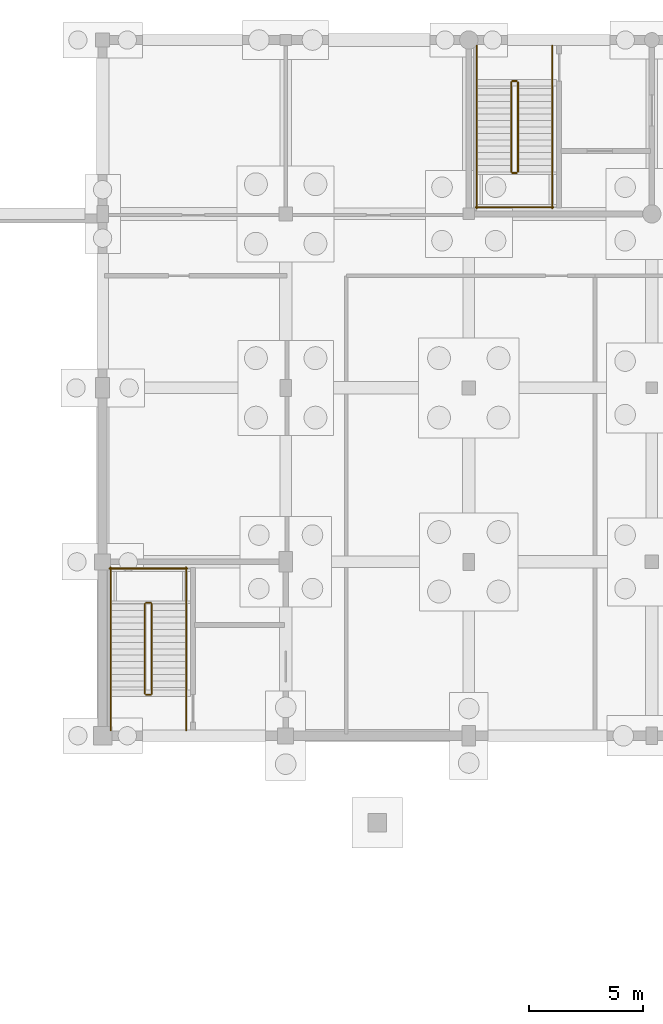
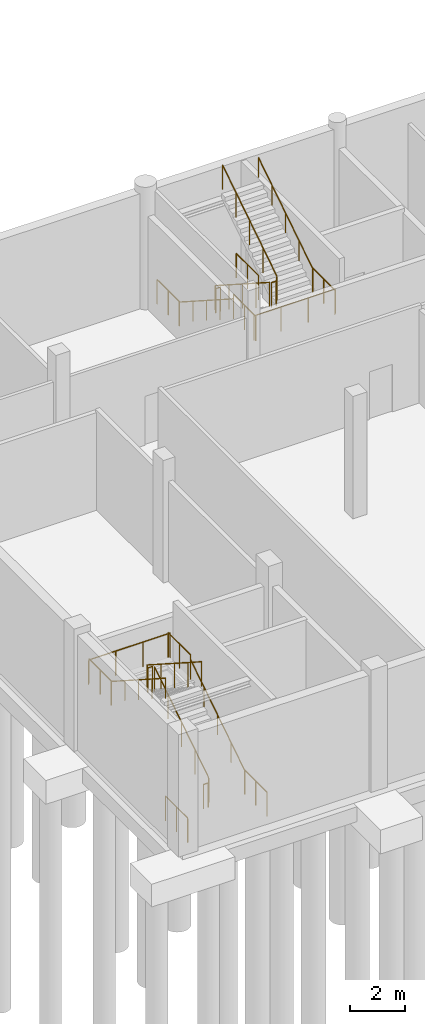
# One storey, part 43 of 44: 22 railings.
"""IFC4 building model written with IfcOpenShell, lengths in metres."""

from ifc_helpers import new_model, si_unit, direction, frame, origin, origin_2d, place, context, subcontext, project, spatial, circle, extrude, material, type_object, element, save


model = new_model("IFC4")

# Units and contexts
model_context = context("Model", 3, precision=1e-05, world=origin(), true_north=direction((0.0, 1.0)))
body_context = subcontext(model_context, "Body", "Model", "MODEL_VIEW")
ifc_project = project(units=[si_unit("LENGTHUNIT", "METRE"), si_unit("AREAUNIT", "SQUARE_METRE"), si_unit("VOLUMEUNIT", "CUBIC_METRE"), si_unit("PLANEANGLEUNIT", "RADIAN"), si_unit("MASSUNIT", "GRAM", prefix="KILO")], contexts=[model_context])

# Site, building, storey
site_placement = place(None, origin())
site = spatial("IfcSite", under=ifc_project, at=site_placement, CompositionType="ELEMENT")
building_placement = place(site_placement, origin())
building = spatial("IfcBuilding", under=site, at=building_placement, Name="Khelvaren Railside Concert Hall", CompositionType="ELEMENT")
storey_placement = place(building_placement, frame((0.0, 0.0, -5.39990234375)))
storey = spatial("IfcBuildingStorey", under=building, at=storey_placement, Name="B1", CompositionType="ELEMENT", Elevation=-5.39990234375)

# Railings
ifc_material_1 = material(Name="Painted architectural steel", Category="steel")
railing_type_1 = type_object("IfcRailingType", Name="GRD86", PredefinedType="GUARDRAIL", material=ifc_material_1)
railing_1_placement = place(storey_placement, frame((145.85009765625, 112.159912109375, 0.179931640625)))
element("IfcRailing", 1, at=railing_1_placement, inside=storey, type_object=railing_type_1, Name="B1 ST-09 stair guard 1", PredefinedType="GUARDRAIL", context=body_context, shape_type="SweptSolid", body=[
    extrude(circle(Radius=0.02392578125, at=origin_2d()), frame((0.0, 0.0, 1.076171875), z_axis=(0.0, -0.841171666519, 0.540768182723), x_axis=(1.0, 0.0, 0.0)), (0.0, 0.0, 1.0), 4.66015625),
    extrude(circle(Radius=0.02099609375, at=origin_2d()), origin(), (0.0, 0.0, 1.0), 1.052001953125),
    extrude(circle(Radius=0.02099609375, at=origin_2d()), frame((0.0, -0.97998046875, 0.6298828125)), (0.0, 0.0, 1.0), 1.052001953125),
    extrude(circle(Radius=0.02099609375, at=origin_2d()), frame((0.0, -1.9599609375, 1.260009765625)), (0.0, 0.0, 1.0), 1.052001953125),
    extrude(circle(Radius=0.02099609375, at=origin_2d()), frame((0.0, -2.93994140625, 1.89013671875)), (0.0, 0.0, 1.0), 1.052001953125),
    extrude(circle(Radius=0.02099609375, at=origin_2d()), frame((0.0, -3.919921875, 2.52001953125)), (0.0, 0.0, 1.0), 1.052001953125),
])
railing_2_placement = place(storey_placement, frame((145.89990234375, 108.18994140625, 2.699951171875)))
element("IfcRailing", 2, at=railing_2_placement, inside=storey, type_object=railing_type_1, Name="B1 ST-09 stair guard 2", PredefinedType="GUARDRAIL", context=body_context, shape_type="SweptSolid", body=[
    extrude(circle(Radius=0.02392578125, at=origin_2d()), frame((0.0, 0.0, 1.076171875), z_axis=(1.0, 0.0, 0.0), x_axis=(0.0, 1.0, 0.0)), (0.0, 0.0, 1.0), 0.2001953125),
    extrude(circle(Radius=0.02099609375, at=origin_2d()), origin(), (0.0, 0.0, 1.0), 1.052001953125),
    extrude(circle(Radius=0.02099609375, at=origin_2d()), frame((0.2001953125, 0.0, 0.0)), (0.0, 0.0, 1.0), 1.052001953125),
])
for number, where, name in (
    (3, (144.35009765625, 108.239990234375, 2.699951171875), "B1 ST-09 stair guard 3"),
    (4, (147.64990234375, 108.239990234375, 2.699951171875), "B1 ST-09 stair guard 4"),
):
    element("IfcRailing", number, at=place(storey_placement, frame(where)), inside=storey, type_object=railing_type_1, Name=name, PredefinedType="GUARDRAIL", context=body_context, shape_type="SweptSolid", body=[
        extrude(circle(Radius=0.02392578125, at=origin_2d()), frame((0.0, 0.0, 1.076171875), z_axis=(0.0, -1.0, 0.0), x_axis=(1.0, 0.0, 0.0)), (0.0, 0.0, 1.0), 1.60009765625),
        extrude(circle(Radius=0.02099609375, at=origin_2d()), origin(), (0.0, 0.0, 1.0), 1.052001953125),
        extrude(circle(Radius=0.02099609375, at=origin_2d()), frame((0.0, -0.800048828125, 0.0)), (0.0, 0.0, 1.0), 1.052001953125),
        extrude(circle(Radius=0.02099609375, at=origin_2d()), frame((0.0, -1.60009765625, 0.0)), (0.0, 0.0, 1.0), 1.052001953125),
    ])
railing_3_placement = place(storey_placement, frame((144.300048828125, 106.68994140625, 2.699951171875)))
element("IfcRailing", 5, at=railing_3_placement, inside=storey, type_object=railing_type_1, Name="B1 ST-09 stair guard 5", PredefinedType="GUARDRAIL", context=body_context, shape_type="SweptSolid", body=[
    extrude(circle(Radius=0.02392578125, at=origin_2d()), frame((0.0, 0.0, 1.076171875), z_axis=(1.0, 0.0, 0.0), x_axis=(0.0, 1.0, 0.0)), (0.0, 0.0, 1.0), 3.39990234375),
    extrude(circle(Radius=0.02099609375, at=origin_2d()), origin(), (0.0, 0.0, 1.0), 1.052001953125),
    extrude(circle(Radius=0.02099609375, at=origin_2d()), frame((1.13330078125, 0.0, 0.0)), (0.0, 0.0, 1.0), 1.052001953125),
    extrude(circle(Radius=0.02099609375, at=origin_2d()), frame((2.2666015625, 0.0, 0.0)), (0.0, 0.0, 1.0), 1.052001953125),
    extrude(circle(Radius=0.02099609375, at=origin_2d()), frame((3.39990234375, 0.0, 0.0)), (0.0, 0.0, 1.0), 1.052001953125),
])
railing_4_placement = place(storey_placement, frame((146.14990234375, 108.239990234375, 2.8798828125)))
element("IfcRailing", 6, at=railing_4_placement, inside=storey, type_object=railing_type_1, Name="B1 ST-09 stair guard 6", PredefinedType="GUARDRAIL", context=body_context, shape_type="SweptSolid", body=[
    extrude(circle(Radius=0.02392578125, at=origin_2d()), frame((0.0, 0.0, 1.076171875), z_axis=(0.0, 0.841171666519, 0.540768182723), x_axis=(-1.0, 0.0, 0.0)), (0.0, 0.0, 1.0), 4.66015625),
    extrude(circle(Radius=0.02099609375, at=origin_2d()), origin(), (0.0, 0.0, 1.0), 1.052001953125),
    extrude(circle(Radius=0.02099609375, at=origin_2d()), frame((0.0, 0.97998046875, 0.6298828125)), (0.0, 0.0, 1.0), 1.052001953125),
    extrude(circle(Radius=0.02099609375, at=origin_2d()), frame((0.0, 1.9599609375, 1.260009765625)), (0.0, 0.0, 1.0), 1.052001953125),
    extrude(circle(Radius=0.02099609375, at=origin_2d()), frame((0.0, 2.93994140625, 1.89013671875)), (0.0, 0.0, 1.0), 1.052001953125),
    extrude(circle(Radius=0.02099609375, at=origin_2d()), frame((0.0, 3.919921875, 2.52001953125)), (0.0, 0.0, 1.0), 1.052001953125),
])
railing_5_placement = place(storey_placement, frame((145.89990234375, 112.2099609375, 0.0)))
element("IfcRailing", 7, at=railing_5_placement, inside=storey, type_object=railing_type_1, Name="B1 ST-09 stair guard 7", PredefinedType="GUARDRAIL", context=body_context, shape_type="SweptSolid", body=[
    extrude(circle(Radius=0.02392578125, at=origin_2d()), frame((0.0, 0.0, 1.076171875), z_axis=(1.0, 0.0, 0.0), x_axis=(0.0, 1.0, 0.0)), (0.0, 0.0, 1.0), 0.2001953125),
    extrude(circle(Radius=0.02099609375, at=origin_2d()), origin(), (0.0, 0.0, 1.0), 1.052001953125),
    extrude(circle(Radius=0.02099609375, at=origin_2d()), frame((0.2001953125, 0.0, 0.0)), (0.0, 0.0, 1.0), 1.052001953125),
])
for number, where, name in (
    (8, (144.35009765625, 113.760009765625, 0.0), "B1 ST-09 stair guard 8"),
    (9, (147.64990234375, 113.760009765625, 0.0), "B1 ST-09 stair guard 9"),
):
    element("IfcRailing", number, at=place(storey_placement, frame(where)), inside=storey, type_object=railing_type_1, Name=name, PredefinedType="GUARDRAIL", context=body_context, shape_type="SweptSolid", body=[
        extrude(circle(Radius=0.02392578125, at=origin_2d()), frame((0.0, 0.0, 1.076171875), z_axis=(0.0, -1.0, 0.0), x_axis=(1.0, 0.0, 0.0)), (0.0, 0.0, 1.0), 1.60009765625),
        extrude(circle(Radius=0.02099609375, at=origin_2d()), origin(), (0.0, 0.0, 1.0), 1.052001953125),
        extrude(circle(Radius=0.02099609375, at=origin_2d()), frame((0.0, -0.800048828125, 0.0)), (0.0, 0.0, 1.0), 1.052001953125),
        extrude(circle(Radius=0.02099609375, at=origin_2d()), frame((0.0, -1.60009765625, 0.0)), (0.0, 0.0, 1.0), 1.052001953125),
    ])
railing_6_placement = place(storey_placement, frame((130.14990234375, 85.43994140625, 0.179931640625)))
element("IfcRailing", 10, at=railing_6_placement, inside=storey, type_object=railing_type_1, Name="B1 ST-12 stair guard 1", PredefinedType="GUARDRAIL", context=body_context, shape_type="SweptSolid", body=[
    extrude(circle(Radius=0.02392578125, at=origin_2d()), frame((0.0, 0.0, 1.076171875), z_axis=(0.0, 0.841186985886, 0.540744352514), x_axis=(-1.0, 0.0, 0.0)), (0.0, 0.0, 1.0), 4.660400390625),
    extrude(circle(Radius=0.02099609375, at=origin_2d()), origin(), (0.0, 0.0, 1.0), 1.052001953125),
    extrude(circle(Radius=0.02099609375, at=origin_2d()), frame((0.0, 0.97998046875, 0.6298828125)), (0.0, 0.0, 1.0), 1.052001953125),
    extrude(circle(Radius=0.02099609375, at=origin_2d()), frame((0.0, 1.9599609375, 1.260009765625)), (0.0, 0.0, 1.0), 1.052001953125),
    extrude(circle(Radius=0.02099609375, at=origin_2d()), frame((0.0, 2.940185546875, 1.89013671875)), (0.0, 0.0, 1.0), 1.052001953125),
    extrude(circle(Radius=0.02099609375, at=origin_2d()), frame((0.0, 3.920166015625, 2.52001953125)), (0.0, 0.0, 1.0), 1.052001953125),
])
railing_7_placement = place(storey_placement, frame((130.10009765625, 89.409912109375, 2.699951171875)))
element("IfcRailing", 11, at=railing_7_placement, inside=storey, type_object=railing_type_1, Name="B1 ST-12 stair guard 2", PredefinedType="GUARDRAIL", context=body_context, shape_type="SweptSolid", body=[
    extrude(circle(Radius=0.02392578125, at=origin_2d()), frame((0.0, 0.0, 1.076171875), z_axis=(-1.0, 0.0, 0.0), x_axis=(0.0, -1.0, 0.0)), (0.0, 0.0, 1.0), 0.2001953125),
    extrude(circle(Radius=0.02099609375, at=origin_2d()), origin(), (0.0, 0.0, 1.0), 1.052001953125),
    extrude(circle(Radius=0.02099609375, at=origin_2d()), frame((-0.2001953125, 0.0, 0.0)), (0.0, 0.0, 1.0), 1.052001953125),
])
for number, where, name in (
    (12, (131.64990234375, 89.360107421875, 2.699951171875), "B1 ST-12 stair guard 3"),
    (13, (128.35009765625, 89.360107421875, 2.699951171875), "B1 ST-12 stair guard 4"),
):
    element("IfcRailing", number, at=place(storey_placement, frame(where)), inside=storey, type_object=railing_type_1, Name=name, PredefinedType="GUARDRAIL", context=body_context, shape_type="SweptSolid", body=[
        extrude(circle(Radius=0.02392578125, at=origin_2d()), frame((0.0, 0.0, 1.076171875), z_axis=(0.0, 1.0, 0.0), x_axis=(-1.0, 0.0, 0.0)), (0.0, 0.0, 1.0), 1.599853515625),
        extrude(circle(Radius=0.02099609375, at=origin_2d()), origin(), (0.0, 0.0, 1.0), 1.052001953125),
        extrude(circle(Radius=0.02099609375, at=origin_2d()), frame((0.0, 0.7998046875, 0.0)), (0.0, 0.0, 1.0), 1.052001953125),
        extrude(circle(Radius=0.02099609375, at=origin_2d()), frame((0.0, 1.599853515625, 0.0)), (0.0, 0.0, 1.0), 1.052001953125),
    ])
railing_8_placement = place(storey_placement, frame((131.699951171875, 90.909912109375, 2.699951171875)))
element("IfcRailing", 14, at=railing_8_placement, inside=storey, type_object=railing_type_1, Name="B1 ST-12 stair guard 5", PredefinedType="GUARDRAIL", context=body_context, shape_type="SweptSolid", body=[
    extrude(circle(Radius=0.02392578125, at=origin_2d()), frame((0.0, 0.0, 1.076171875), z_axis=(-1.0, 0.0, 0.0), x_axis=(0.0, -1.0, 0.0)), (0.0, 0.0, 1.0), 3.39990234375),
    extrude(circle(Radius=0.02099609375, at=origin_2d()), origin(), (0.0, 0.0, 1.0), 1.052001953125),
    extrude(circle(Radius=0.02099609375, at=origin_2d()), frame((-1.13330078125, 0.0, 0.0)), (0.0, 0.0, 1.0), 1.052001953125),
    extrude(circle(Radius=0.02099609375, at=origin_2d()), frame((-2.2666015625, 0.0, 0.0)), (0.0, 0.0, 1.0), 1.052001953125),
    extrude(circle(Radius=0.02099609375, at=origin_2d()), frame((-3.39990234375, 0.0, 0.0)), (0.0, 0.0, 1.0), 1.052001953125),
])
railing_9_placement = place(storey_placement, frame((129.85009765625, 89.360107421875, 2.8798828125)))
element("IfcRailing", 15, at=railing_9_placement, inside=storey, type_object=railing_type_1, Name="B1 ST-12 stair guard 6", PredefinedType="GUARDRAIL", context=body_context, shape_type="SweptSolid", body=[
    extrude(circle(Radius=0.02392578125, at=origin_2d()), frame((0.0, 0.0, 1.076171875), z_axis=(0.0, -0.841186985886, 0.540744352514), x_axis=(1.0, 0.0, 0.0)), (0.0, 0.0, 1.0), 4.660400390625),
    extrude(circle(Radius=0.02099609375, at=origin_2d()), origin(), (0.0, 0.0, 1.0), 1.052001953125),
    extrude(circle(Radius=0.02099609375, at=origin_2d()), frame((0.0, -0.97998046875, 0.6298828125)), (0.0, 0.0, 1.0), 1.052001953125),
    extrude(circle(Radius=0.02099609375, at=origin_2d()), frame((0.0, -1.9599609375, 1.260009765625)), (0.0, 0.0, 1.0), 1.052001953125),
    extrude(circle(Radius=0.02099609375, at=origin_2d()), frame((0.0, -2.940185546875, 1.89013671875)), (0.0, 0.0, 1.0), 1.052001953125),
    extrude(circle(Radius=0.02099609375, at=origin_2d()), frame((0.0, -3.920166015625, 2.52001953125)), (0.0, 0.0, 1.0), 1.052001953125),
])
railing_10_placement = place(storey_placement, frame((130.10009765625, 85.389892578125, 0.0)))
element("IfcRailing", 16, at=railing_10_placement, inside=storey, type_object=railing_type_1, Name="B1 ST-12 stair guard 7", PredefinedType="GUARDRAIL", context=body_context, shape_type="SweptSolid", body=[
    extrude(circle(Radius=0.02392578125, at=origin_2d()), frame((0.0, 0.0, 1.076171875), z_axis=(-1.0, 0.0, 0.0), x_axis=(0.0, -1.0, 0.0)), (0.0, 0.0, 1.0), 0.2001953125),
    extrude(circle(Radius=0.02099609375, at=origin_2d()), origin(), (0.0, 0.0, 1.0), 1.052001953125),
    extrude(circle(Radius=0.02099609375, at=origin_2d()), frame((-0.2001953125, 0.0, 0.0)), (0.0, 0.0, 1.0), 1.052001953125),
])
for number, where, name in (
    (17, (131.64990234375, 83.840087890625, 0.0), "B1 ST-12 stair guard 8"),
    (18, (128.35009765625, 83.840087890625, 0.0), "B1 ST-12 stair guard 9"),
):
    element("IfcRailing", number, at=place(storey_placement, frame(where)), inside=storey, type_object=railing_type_1, Name=name, PredefinedType="GUARDRAIL", context=body_context, shape_type="SweptSolid", body=[
        extrude(circle(Radius=0.02392578125, at=origin_2d()), frame((0.0, 0.0, 1.076171875), z_axis=(0.0, 1.0, 0.0), x_axis=(-1.0, 0.0, 0.0)), (0.0, 0.0, 1.0), 1.599853515625),
        extrude(circle(Radius=0.02099609375, at=origin_2d()), origin(), (0.0, 0.0, 1.0), 1.052001953125),
        extrude(circle(Radius=0.02099609375, at=origin_2d()), frame((0.0, 0.7998046875, 0.0)), (0.0, 0.0, 1.0), 1.052001953125),
        extrude(circle(Radius=0.02099609375, at=origin_2d()), frame((0.0, 1.599853515625, 0.0)), (0.0, 0.0, 1.0), 1.052001953125),
    ])
ifc_material_2 = material(Name="Brushed stainless steel Grade 316", Category="steel")
railing_type_2 = type_object("IfcRailingType", Name="HRL59", PredefinedType="HANDRAIL", material=ifc_material_2)
railing_11_placement = place(storey_placement, frame((144.35009765625, 112.159912109375, 0.179931640625)))
element("IfcRailing", 19, at=railing_11_placement, inside=storey, type_object=railing_type_2, Name="B1 ST-09 stair handrail 1", PredefinedType="HANDRAIL", context=body_context, shape_type="SweptSolid", body=[
    extrude(circle(Radius=0.02392578125, at=origin_2d()), frame((0.0, 0.0, 0.8759765625), z_axis=(0.0, -0.841171666519, 0.540768182723), x_axis=(1.0, 0.0, 0.0)), (0.0, 0.0, 1.0), 4.66015625),
    extrude(circle(Radius=0.02099609375, at=origin_2d()), origin(), (0.0, 0.0, 1.0), 0.851806640625),
    extrude(circle(Radius=0.02099609375, at=origin_2d()), frame((0.0, -0.97998046875, 0.6298828125)), (0.0, 0.0, 1.0), 0.851806640625),
    extrude(circle(Radius=0.02099609375, at=origin_2d()), frame((0.0, -1.9599609375, 1.260009765625)), (0.0, 0.0, 1.0), 0.851806640625),
    extrude(circle(Radius=0.02099609375, at=origin_2d()), frame((0.0, -2.93994140625, 1.89013671875)), (0.0, 0.0, 1.0), 0.851806640625),
    extrude(circle(Radius=0.02099609375, at=origin_2d()), frame((0.0, -3.919921875, 2.52001953125)), (0.0, 0.0, 1.0), 0.851806640625),
])
railing_12_placement = place(storey_placement, frame((147.64990234375, 108.239990234375, 2.8798828125)))
element("IfcRailing", 20, at=railing_12_placement, inside=storey, type_object=railing_type_2, Name="B1 ST-09 stair handrail 2", PredefinedType="HANDRAIL", context=body_context, shape_type="SweptSolid", body=[
    extrude(circle(Radius=0.02392578125, at=origin_2d()), frame((0.0, 0.0, 0.8759765625), z_axis=(0.0, 0.841171666519, 0.540768182723), x_axis=(-1.0, 0.0, 0.0)), (0.0, 0.0, 1.0), 4.66015625),
    extrude(circle(Radius=0.02099609375, at=origin_2d()), origin(), (0.0, 0.0, 1.0), 0.851806640625),
    extrude(circle(Radius=0.02099609375, at=origin_2d()), frame((0.0, 0.97998046875, 0.6298828125)), (0.0, 0.0, 1.0), 0.851806640625),
    extrude(circle(Radius=0.02099609375, at=origin_2d()), frame((0.0, 1.9599609375, 1.260009765625)), (0.0, 0.0, 1.0), 0.851806640625),
    extrude(circle(Radius=0.02099609375, at=origin_2d()), frame((0.0, 2.93994140625, 1.89013671875)), (0.0, 0.0, 1.0), 0.851806640625),
    extrude(circle(Radius=0.02099609375, at=origin_2d()), frame((0.0, 3.919921875, 2.52001953125)), (0.0, 0.0, 1.0), 0.851806640625),
])
railing_13_placement = place(storey_placement, frame((131.64990234375, 85.43994140625, 0.179931640625)))
element("IfcRailing", 21, at=railing_13_placement, inside=storey, type_object=railing_type_2, Name="B1 ST-12 stair handrail 1", PredefinedType="HANDRAIL", context=body_context, shape_type="SweptSolid", body=[
    extrude(circle(Radius=0.02392578125, at=origin_2d()), frame((0.0, 0.0, 0.8759765625), z_axis=(0.0, 0.841186985886, 0.540744352514), x_axis=(-1.0, 0.0, 0.0)), (0.0, 0.0, 1.0), 4.660400390625),
    extrude(circle(Radius=0.02099609375, at=origin_2d()), origin(), (0.0, 0.0, 1.0), 0.851806640625),
    extrude(circle(Radius=0.02099609375, at=origin_2d()), frame((0.0, 0.97998046875, 0.6298828125)), (0.0, 0.0, 1.0), 0.851806640625),
    extrude(circle(Radius=0.02099609375, at=origin_2d()), frame((0.0, 1.9599609375, 1.260009765625)), (0.0, 0.0, 1.0), 0.851806640625),
    extrude(circle(Radius=0.02099609375, at=origin_2d()), frame((0.0, 2.940185546875, 1.89013671875)), (0.0, 0.0, 1.0), 0.851806640625),
    extrude(circle(Radius=0.02099609375, at=origin_2d()), frame((0.0, 3.920166015625, 2.52001953125)), (0.0, 0.0, 1.0), 0.851806640625),
])
railing_14_placement = place(storey_placement, frame((128.35009765625, 89.360107421875, 2.8798828125)))
element("IfcRailing", 22, at=railing_14_placement, inside=storey, type_object=railing_type_2, Name="B1 ST-12 stair handrail 2", PredefinedType="HANDRAIL", context=body_context, shape_type="SweptSolid", body=[
    extrude(circle(Radius=0.02392578125, at=origin_2d()), frame((0.0, 0.0, 0.8759765625), z_axis=(0.0, -0.841186985886, 0.540744352514), x_axis=(1.0, 0.0, 0.0)), (0.0, 0.0, 1.0), 4.660400390625),
    extrude(circle(Radius=0.02099609375, at=origin_2d()), origin(), (0.0, 0.0, 1.0), 0.851806640625),
    extrude(circle(Radius=0.02099609375, at=origin_2d()), frame((0.0, -0.97998046875, 0.6298828125)), (0.0, 0.0, 1.0), 0.851806640625),
    extrude(circle(Radius=0.02099609375, at=origin_2d()), frame((0.0, -1.9599609375, 1.260009765625)), (0.0, 0.0, 1.0), 0.851806640625),
    extrude(circle(Radius=0.02099609375, at=origin_2d()), frame((0.0, -2.940185546875, 1.89013671875)), (0.0, 0.0, 1.0), 0.851806640625),
    extrude(circle(Radius=0.02099609375, at=origin_2d()), frame((0.0, -3.920166015625, 2.52001953125)), (0.0, 0.0, 1.0), 0.851806640625),
])

save(model, "model.ifc")
